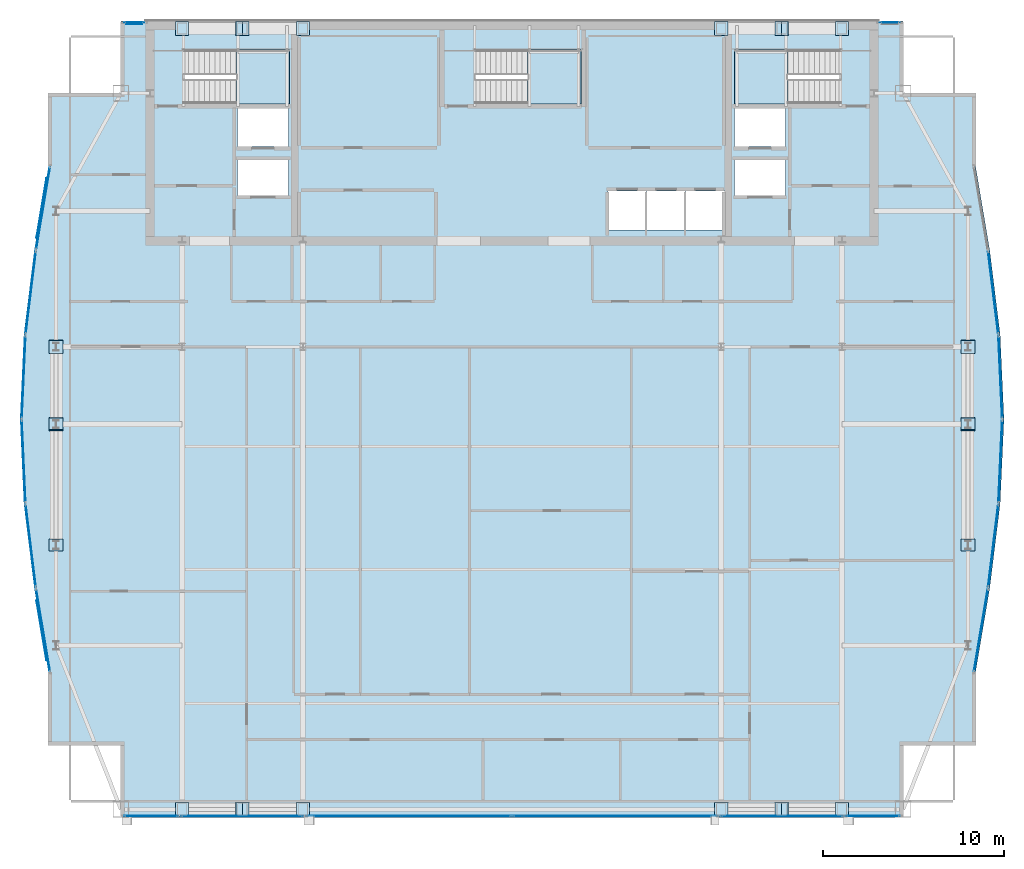
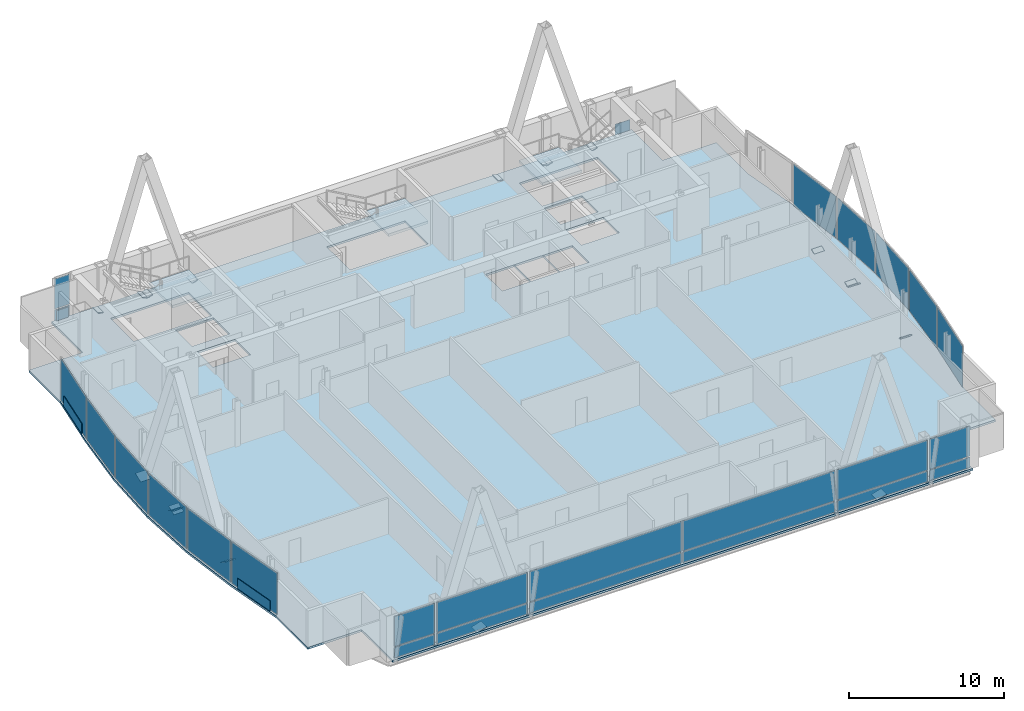
# One storey, part 23 of 29: 53 plates, 4 slabs, 21 elements without a shape of their own.
"""IFC4 building model written with IfcOpenShell, lengths in metres."""

from ifc_helpers import new_model, si_unit, direction, frame, origin, origin_2d, place, context, subcontext, project, spatial, polyline, rectangle, outline, extrude, material, layer, layer_set, type_object, element, aggregate, save


model = new_model("IFC4")

# Units and contexts
model_context = context("Model", 3, precision=1e-05, world=origin(), true_north=direction((0.0, 1.0)))
body_context = subcontext(model_context, "Body", "Model", "MODEL_VIEW")
ifc_project = project(units=[si_unit("LENGTHUNIT", "METRE"), si_unit("AREAUNIT", "SQUARE_METRE"), si_unit("VOLUMEUNIT", "CUBIC_METRE"), si_unit("PLANEANGLEUNIT", "RADIAN"), si_unit("MASSUNIT", "GRAM", prefix="KILO")], contexts=[model_context])

# Site, building, storey
site_placement = place(None, origin())
site = spatial("IfcSite", under=ifc_project, at=site_placement, CompositionType="ELEMENT")
building_placement = place(site_placement, origin())
building = spatial("IfcBuilding", under=site, at=building_placement, Name="Khoronbel Lancet Exchange", CompositionType="ELEMENT")
storey_placement = place(building_placement, frame((0.0, 0.0, 336.199951171875)))
storey = spatial("IfcBuildingStorey", under=building, at=storey_placement, Name="L87", CompositionType="ELEMENT", Elevation=336.199951171875)

# Curtain wall, plate
ifc_material_1 = material(Name="Low-E Solar Control Insulating Glass", Category="glass")
curtain_wall_type_1 = type_object("IfcCurtainWallType", Name="CW-4", PredefinedType="NOTDEFINED", material=ifc_material_1)
curtain_wall_1_placement = place(storey_placement, origin())
curtain_wall_1 = element("IfcCurtainWall", 1, at=curtain_wall_1_placement, inside=storey, type_object=curtain_wall_type_1, Name="Unitised curtain wall CW-L87-E04", PredefinedType="NOTDEFINED")
ifc_material_2 = material(Name="Bronze-Anodised Aluminium 6063-T6", Category="aluminium")
ifc_layer_1 = layer(ifc_material_2, 0.050048828125, Name="Bronze-Anodised Aluminium 6063-T6")
ifc_layer_set_1 = layer_set([ifc_layer_1], Name="Bronze-Anodised Aluminium 6063-T6")
plate_type_1 = type_object("IfcPlateType", Name="PLT-CSP1", PredefinedType="SHEET", material=ifc_layer_set_1)
plate_1_placement = place(storey_placement, frame((10.486572265625, 20.03369140625, 0.0498046875), z_axis=(0.0, 0.0, 1.0), x_axis=(-0.166390491902, 0.986059939458, 0.0)))
plate_1 = element("IfcPlate", 2, at=plate_1_placement, type_object=plate_type_1, Name="Insulated bronze spandrel cassette CW-L87-E04", PredefinedType="SHEET", context=body_context, shape_type="SweptSolid", body=[
    extrude(rectangle(XDim=3.31689453125, YDim=0.050048828125, at=origin_2d()), origin(), (0.0, 0.0, 1.0), 0.800048828125),
])

curtain_wall_2_placement = place(storey_placement, origin())
curtain_wall_2 = element("IfcCurtainWall", 3, at=curtain_wall_2_placement, inside=storey, type_object=curtain_wall_type_1, Name="Unitised curtain wall CW-L87-E05", PredefinedType="NOTDEFINED")
plate_2_placement = place(storey_placement, frame((9.86376953125, 24.710205078125, 0.0849609375), z_axis=(0.0, 0.0, 1.0), x_axis=(-0.122598550384, 0.992456344352, 0.0)))
plate_2 = element("IfcPlate", 4, at=plate_2_placement, type_object=plate_type_1, Name="CW4 panel 1.1", PredefinedType="CURTAIN_PANEL", context=body_context, shape_type="SweptSolid", body=[
    extrude(rectangle(XDim=4.546630859375, YDim=0.0380859375, at=origin_2d()), origin(), (0.0, 0.0, 1.0), 3.27001953125),
])
aggregate(curtain_wall_2, [plate_2])

curtain_wall_3_placement = place(storey_placement, origin())
curtain_wall_3 = element("IfcCurtainWall", 5, at=curtain_wall_3_placement, inside=storey, type_object=curtain_wall_type_1, Name="Unitised curtain wall CW-L87-E06", PredefinedType="NOTDEFINED")
plate_3_placement = place(storey_placement, frame((9.470458984375, 29.370361328125, 0.0849609375), z_axis=(0.0, 0.0, 1.0), x_axis=(-0.04517715298, 0.998978991195, 0.0)))
plate_3 = element("IfcPlate", 6, at=plate_3_placement, type_object=plate_type_1, Name="CW4 panel 1.1", PredefinedType="CURTAIN_PANEL", context=body_context, shape_type="SweptSolid", body=[
    extrude(rectangle(XDim=4.513916015625, YDim=0.0380859375, at=origin_2d()), origin(), (0.0, 0.0, 1.0), 3.27001953125),
])
aggregate(curtain_wall_3, [plate_3])

curtain_wall_4_placement = place(storey_placement, origin())
curtain_wall_4 = element("IfcCurtainWall", 7, at=curtain_wall_4_placement, inside=storey, type_object=curtain_wall_type_1, Name="Unitised curtain wall CW-L87-E07", PredefinedType="NOTDEFINED")
plate_4_placement = place(storey_placement, frame((9.470458984375, 34.029541015625, 0.0849609375), z_axis=(0.0, 0.0, 1.0), x_axis=(0.04517715298, 0.998978991195, 0.0)))
plate_4 = element("IfcPlate", 8, at=plate_4_placement, type_object=plate_type_1, Name="CW4 panel 1.1", PredefinedType="CURTAIN_PANEL", context=body_context, shape_type="SweptSolid", body=[
    extrude(rectangle(XDim=4.513916015625, YDim=0.0380859375, at=origin_2d()), origin(), (0.0, 0.0, 1.0), 3.27001953125),
])
aggregate(curtain_wall_4, [plate_4])

curtain_wall_5_placement = place(storey_placement, origin())
curtain_wall_5 = element("IfcCurtainWall", 9, at=curtain_wall_5_placement, inside=storey, type_object=curtain_wall_type_1, Name="Unitised curtain wall CW-L87-E08", PredefinedType="NOTDEFINED")
plate_5_placement = place(storey_placement, frame((9.86376953125, 38.689697265625, 0.0849609375), z_axis=(0.0, 0.0, 1.0), x_axis=(0.122598550384, 0.992456344352, 0.0)))
plate_5 = element("IfcPlate", 10, at=plate_5_placement, type_object=plate_type_1, Name="CW4 panel 1.1", PredefinedType="CURTAIN_PANEL", context=body_context, shape_type="SweptSolid", body=[
    extrude(rectangle(XDim=4.546630859375, YDim=0.0380859375, at=origin_2d()), origin(), (0.0, 0.0, 1.0), 3.27001953125),
])
aggregate(curtain_wall_5, [plate_5])

curtain_wall_6_placement = place(storey_placement, origin())
curtain_wall_6 = element("IfcCurtainWall", 11, at=curtain_wall_6_placement, inside=storey, type_object=curtain_wall_type_1, Name="Unitised curtain wall CW-L87-E09", PredefinedType="NOTDEFINED")
plate_6_placement = place(storey_placement, frame((10.486572265625, 43.366455078125, 0.0498046875), z_axis=(0.0, 0.0, 1.0), x_axis=(0.166390491902, 0.986059939458, 0.0)))
plate_6 = element("IfcPlate", 12, at=plate_6_placement, type_object=plate_type_1, Name="Insulated bronze spandrel cassette CW-L87-E09", PredefinedType="SHEET", context=body_context, shape_type="SweptSolid", body=[
    extrude(rectangle(XDim=3.31689453125, YDim=0.050048828125, at=origin_2d()), origin(), (0.0, 0.0, 1.0), 0.800048828125),
])

curtain_wall_type_2 = type_object("IfcCurtainWallType", Name="CW-3", PredefinedType="NOTDEFINED", material=ifc_material_1)
curtain_wall_7_placement = place(storey_placement, origin())
curtain_wall_7 = element("IfcCurtainWall", 13, at=curtain_wall_7_placement, inside=storey, type_object=curtain_wall_type_2, Name="Unitised curtain wall CW-L87-NWFLK", PredefinedType="NOTDEFINED")
plate_7_placement = place(storey_placement, frame((15.580078125, 53.550048828125, 0.0498046875), z_axis=(0.0, 0.0, 1.0), x_axis=(-1.0, 0.0, 0.0)))
plate_7 = element("IfcPlate", 14, at=plate_7_placement, type_object=plate_type_1, Name="Insulated bronze spandrel cassette CW-L87-NWFLK", PredefinedType="SHEET", context=body_context, shape_type="SweptSolid", body=[
    extrude(rectangle(XDim=0.89599609375, YDim=0.050048828125, at=origin_2d()), origin(), (0.0, 0.0, 1.0), 0.800048828125),
])

curtain_wall_8_placement = place(storey_placement, origin())
curtain_wall_8 = element("IfcCurtainWall", 15, at=curtain_wall_8_placement, inside=storey, type_object=curtain_wall_type_1, Name="Unitised curtain wall CW-L87-E18", PredefinedType="NOTDEFINED")
plate_8_placement = place(storey_placement, frame((63.036376953125, 38.689697265625, 0.0849609375), z_axis=(0.0, 0.0, 1.0), x_axis=(0.122598550384, -0.992456344352, 0.0)))
plate_8 = element("IfcPlate", 16, at=plate_8_placement, type_object=plate_type_1, Name="CW4 panel 1.1", PredefinedType="CURTAIN_PANEL", context=body_context, shape_type="SweptSolid", body=[
    extrude(rectangle(XDim=4.546630859375, YDim=0.0380859375, at=origin_2d()), origin(), (0.0, 0.0, 1.0), 3.27001953125),
])
aggregate(curtain_wall_8, [plate_8])

curtain_wall_9_placement = place(storey_placement, origin())
curtain_wall_9 = element("IfcCurtainWall", 17, at=curtain_wall_9_placement, inside=storey, type_object=curtain_wall_type_1, Name="Unitised curtain wall CW-L87-E19", PredefinedType="NOTDEFINED")
plate_9_placement = place(storey_placement, frame((63.429443359375, 34.029541015625, 0.0849609375), z_axis=(0.0, 0.0, 1.0), x_axis=(0.04517715298, -0.998978991195, 0.0)))
plate_9 = element("IfcPlate", 18, at=plate_9_placement, type_object=plate_type_1, Name="CW4 panel 1.1", PredefinedType="CURTAIN_PANEL", context=body_context, shape_type="SweptSolid", body=[
    extrude(rectangle(XDim=4.513916015625, YDim=0.0380859375, at=origin_2d()), origin(), (0.0, 0.0, 1.0), 3.27001953125),
])
aggregate(curtain_wall_9, [plate_9])

curtain_wall_10_placement = place(storey_placement, origin())
curtain_wall_10 = element("IfcCurtainWall", 19, at=curtain_wall_10_placement, inside=storey, type_object=curtain_wall_type_1, Name="Unitised curtain wall CW-L87-E20", PredefinedType="NOTDEFINED")
plate_10_placement = place(storey_placement, frame((63.429443359375, 29.370361328125, 0.0849609375), z_axis=(0.0, 0.0, 1.0), x_axis=(-0.04517715298, -0.998978991195, 0.0)))
plate_10 = element("IfcPlate", 20, at=plate_10_placement, type_object=plate_type_1, Name="CW4 panel 1.1", PredefinedType="CURTAIN_PANEL", context=body_context, shape_type="SweptSolid", body=[
    extrude(rectangle(XDim=4.513916015625, YDim=0.0380859375, at=origin_2d()), origin(), (0.0, 0.0, 1.0), 3.27001953125),
])
aggregate(curtain_wall_10, [plate_10])

curtain_wall_11_placement = place(storey_placement, origin())
curtain_wall_11 = element("IfcCurtainWall", 21, at=curtain_wall_11_placement, inside=storey, type_object=curtain_wall_type_1, Name="Unitised curtain wall CW-L87-E21", PredefinedType="NOTDEFINED")
plate_11_placement = place(storey_placement, frame((63.036376953125, 24.710205078125, 0.0849609375), z_axis=(0.0, 0.0, 1.0), x_axis=(-0.122598550384, -0.992456344352, 0.0)))
plate_11 = element("IfcPlate", 22, at=plate_11_placement, type_object=plate_type_1, Name="CW4 panel 1.1", PredefinedType="CURTAIN_PANEL", context=body_context, shape_type="SweptSolid", body=[
    extrude(rectangle(XDim=4.546630859375, YDim=0.0380859375, at=origin_2d()), origin(), (0.0, 0.0, 1.0), 3.27001953125),
])
aggregate(curtain_wall_11, [plate_11])

# Curtain wall, plates
curtain_wall_12_placement = place(storey_placement, origin())
curtain_wall_12 = element("IfcCurtainWall", 23, at=curtain_wall_12_placement, inside=storey, type_object=curtain_wall_type_2, Name="Unitised curtain wall CW-L87-SWB", PredefinedType="NOTDEFINED")
plate_12_placement = place(storey_placement, frame((21.550048828125, 9.7900390625, 0.0849609375), z_axis=(0.0, 0.0, 1.0), x_axis=(1.0, 0.0, 0.0)))
plate_12 = element("IfcPlate", 24, at=plate_12_placement, type_object=plate_type_1, Name="CW3 panel 1.1", PredefinedType="CURTAIN_PANEL", context=body_context, shape_type="SweptSolid", body=[
    extrude(rectangle(XDim=6.72998046875, YDim=0.0380859375, at=origin_2d()), origin(), (0.0, 0.0, 1.0), 0.822509765625),
])
plate_13_placement = place(storey_placement, frame((21.550048828125, 9.7900390625, 0.99267578125), z_axis=(0.0, 0.0, 1.0), x_axis=(1.0, 0.0, 0.0)))
plate_13 = element("IfcPlate", 25, at=plate_13_placement, type_object=plate_type_1, Name="CW3 panel 1.2", PredefinedType="CURTAIN_PANEL", context=body_context, shape_type="SweptSolid", body=[
    extrude(rectangle(XDim=6.72998046875, YDim=0.0380859375, at=origin_2d()), origin(), (0.0, 0.0, 1.0), 2.362548828125),
])
aggregate(curtain_wall_12, [plate_12, plate_13])

curtain_wall_13_placement = place(storey_placement, origin())
curtain_wall_13 = element("IfcCurtainWall", 26, at=curtain_wall_13_placement, inside=storey, type_object=curtain_wall_type_2, Name="Unitised curtain wall CW-L87-SEB", PredefinedType="NOTDEFINED")
plate_14_placement = place(storey_placement, frame((51.35009765625, 9.7900390625, 0.0849609375), z_axis=(0.0, 0.0, 1.0), x_axis=(1.0, 0.0, 0.0)))
plate_14 = element("IfcPlate", 27, at=plate_14_placement, type_object=plate_type_1, Name="CW3 panel 1.1", PredefinedType="CURTAIN_PANEL", context=body_context, shape_type="SweptSolid", body=[
    extrude(rectangle(XDim=6.72998046875, YDim=0.0380859375, at=origin_2d()), origin(), (0.0, 0.0, 1.0), 0.822509765625),
])
plate_15_placement = place(storey_placement, frame((51.35009765625, 9.7900390625, 0.99267578125), z_axis=(0.0, 0.0, 1.0), x_axis=(1.0, 0.0, 0.0)))
plate_15 = element("IfcPlate", 28, at=plate_15_placement, type_object=plate_type_1, Name="CW3 panel 1.2", PredefinedType="CURTAIN_PANEL", context=body_context, shape_type="SweptSolid", body=[
    extrude(rectangle(XDim=6.72998046875, YDim=0.0380859375, at=origin_2d()), origin(), (0.0, 0.0, 1.0), 2.362548828125),
])
aggregate(curtain_wall_13, [plate_14, plate_15])

# Plate
ifc_layer_2 = layer(ifc_material_1, 0.035888671875, Name="Low-E Solar Control Insulating Glass")
ifc_layer_set_2 = layer_set([ifc_layer_2], Name="Low-E Solar Control Insulating Glass")
plate_type_2 = type_object("IfcPlateType", Name="PLT-CWP1", PredefinedType="CURTAIN_PANEL", material=ifc_layer_set_2)
plate_16_placement = place(storey_placement, frame((15.580078125, 53.610107421875, 0.0849609375), z_axis=(0.0, 0.0, 1.0), x_axis=(-1.0, 0.0, 0.0)))
plate_16 = element("IfcPlate", 29, at=plate_16_placement, type_object=plate_type_2, Name="CW3 panel 1.1", PredefinedType="CURTAIN_PANEL", context=body_context, shape_type="SweptSolid", body=[
    extrude(rectangle(XDim=1.110107421875, YDim=0.0380859375, at=origin_2d()), origin(), (0.0, 0.0, 1.0), 0.822509765625),
])

plate_17_placement = place(storey_placement, frame((15.580078125, 53.610107421875, 0.99267578125), z_axis=(0.0, 0.0, 1.0), x_axis=(-1.0, 0.0, 0.0)))
plate_17 = element("IfcPlate", 30, at=plate_17_placement, type_object=plate_type_2, Name="CW3 panel 1.2", PredefinedType="CURTAIN_PANEL", context=body_context, shape_type="SweptSolid", body=[
    extrude(rectangle(XDim=1.110107421875, YDim=0.0380859375, at=origin_2d()), origin(), (0.0, 0.0, 1.0), 2.362548828125),
])

aggregate(curtain_wall_7, [plate_16, plate_17, plate_7])

# Curtain wall, plate
curtain_wall_14_placement = place(storey_placement, origin())
curtain_wall_14 = element("IfcCurtainWall", 31, at=curtain_wall_14_placement, inside=storey, type_object=curtain_wall_type_2, Name="Unitised curtain wall CW-L87-NEFLK", PredefinedType="NOTDEFINED")
plate_18_placement = place(storey_placement, frame((57.320068359375, 53.610107421875, 0.0849609375), z_axis=(0.0, 0.0, 1.0), x_axis=(-1.0, 0.0, 0.0)))
plate_18 = element("IfcPlate", 32, at=plate_18_placement, type_object=plate_type_2, Name="CW3 panel 1.1", PredefinedType="CURTAIN_PANEL", context=body_context, shape_type="SweptSolid", body=[
    extrude(rectangle(XDim=1.110107421875, YDim=0.0380859375, at=origin_2d()), origin(), (0.0, 0.0, 1.0), 0.822509765625),
])
aggregate(curtain_wall_14, [plate_18])

# Curtain wall, plates
curtain_wall_15_placement = place(storey_placement, origin())
curtain_wall_15 = element("IfcCurtainWall", 33, at=curtain_wall_15_placement, inside=storey, type_object=curtain_wall_type_2, Name="Unitised curtain wall CW-L87-SWV", PredefinedType="NOTDEFINED")
plate_19_placement = place(storey_placement, frame((16.52001953125, 9.7900390625, 0.0849609375), z_axis=(0.0, 0.0, 1.0), x_axis=(1.0, 0.0, 0.0)))
plate_19 = element("IfcPlate", 34, at=plate_19_placement, type_object=plate_type_2, Name="CW3 panel 1.1", PredefinedType="CURTAIN_PANEL", context=body_context, shape_type="SweptSolid", body=[
    extrude(rectangle(XDim=2.989990234375, YDim=0.0380859375, at=origin_2d()), origin(), (0.0, 0.0, 1.0), 0.822509765625),
])
plate_20_placement = place(storey_placement, frame((16.52001953125, 9.7900390625, 0.99267578125), z_axis=(0.0, 0.0, 1.0), x_axis=(1.0, 0.0, 0.0)))
plate_20 = element("IfcPlate", 35, at=plate_20_placement, type_object=plate_type_2, Name="CW3 panel 1.2", PredefinedType="CURTAIN_PANEL", context=body_context, shape_type="SweptSolid", body=[
    extrude(rectangle(XDim=2.989990234375, YDim=0.0380859375, at=origin_2d()), origin(), (0.0, 0.0, 1.0), 2.362548828125),
])
aggregate(curtain_wall_15, [plate_19, plate_20])

curtain_wall_16_placement = place(storey_placement, origin())
curtain_wall_16 = element("IfcCurtainWall", 36, at=curtain_wall_16_placement, inside=storey, type_object=curtain_wall_type_2, Name="Unitised curtain wall CW-L87-SCV", PredefinedType="NOTDEFINED")
plate_21_placement = place(storey_placement, frame((30.746337890625, 9.7900390625, 0.0849609375), z_axis=(0.0, 0.0, 1.0), x_axis=(1.0, 0.0, 0.0)))
plate_21 = element("IfcPlate", 37, at=plate_21_placement, type_object=plate_type_2, Name="CW3 panel 1.1", PredefinedType="CURTAIN_PANEL", context=body_context, shape_type="SweptSolid", body=[
    extrude(rectangle(XDim=11.322509765625, YDim=0.0380859375, at=origin_2d()), origin(), (0.0, 0.0, 1.0), 0.822509765625),
])
plate_22_placement = place(storey_placement, frame((30.746337890625, 9.7900390625, 0.99267578125), z_axis=(0.0, 0.0, 1.0), x_axis=(1.0, 0.0, 0.0)))
plate_22 = element("IfcPlate", 38, at=plate_22_placement, type_object=plate_type_2, Name="CW3 panel 1.2", PredefinedType="CURTAIN_PANEL", context=body_context, shape_type="SweptSolid", body=[
    extrude(rectangle(XDim=11.322509765625, YDim=0.0380859375, at=origin_2d()), origin(), (0.0, 0.0, 1.0), 2.362548828125),
])
plate_23_placement = place(storey_placement, frame((42.15380859375, 9.7900390625, 0.0849609375), z_axis=(0.0, 0.0, 1.0), x_axis=(1.0, 0.0, 0.0)))
plate_23 = element("IfcPlate", 39, at=plate_23_placement, type_object=plate_type_2, Name="CW3 panel 2.1", PredefinedType="CURTAIN_PANEL", context=body_context, shape_type="SweptSolid", body=[
    extrude(rectangle(XDim=11.322509765625, YDim=0.0380859375, at=origin_2d()), origin(), (0.0, 0.0, 1.0), 0.822509765625),
])
plate_24_placement = place(storey_placement, frame((42.15380859375, 9.7900390625, 0.99267578125), z_axis=(0.0, 0.0, 1.0), x_axis=(1.0, 0.0, 0.0)))
plate_24 = element("IfcPlate", 40, at=plate_24_placement, type_object=plate_type_2, Name="CW3 panel 2.2", PredefinedType="CURTAIN_PANEL", context=body_context, shape_type="SweptSolid", body=[
    extrude(rectangle(XDim=11.322509765625, YDim=0.0380859375, at=origin_2d()), origin(), (0.0, 0.0, 1.0), 2.362548828125),
])
aggregate(curtain_wall_16, [plate_21, plate_22, plate_23, plate_24])

curtain_wall_17_placement = place(storey_placement, origin())
curtain_wall_17 = element("IfcCurtainWall", 41, at=curtain_wall_17_placement, inside=storey, type_object=curtain_wall_type_2, Name="Unitised curtain wall CW-L87-SEV", PredefinedType="NOTDEFINED")
plate_25_placement = place(storey_placement, frame((56.3798828125, 9.7900390625, 0.0849609375), z_axis=(0.0, 0.0, 1.0), x_axis=(1.0, 0.0, 0.0)))
plate_25 = element("IfcPlate", 42, at=plate_25_placement, type_object=plate_type_2, Name="CW3 panel 1.1", PredefinedType="CURTAIN_PANEL", context=body_context, shape_type="SweptSolid", body=[
    extrude(rectangle(XDim=2.989990234375, YDim=0.0380859375, at=origin_2d()), origin(), (0.0, 0.0, 1.0), 0.822509765625),
])
plate_26_placement = place(storey_placement, frame((56.3798828125, 9.7900390625, 0.99267578125), z_axis=(0.0, 0.0, 1.0), x_axis=(1.0, 0.0, 0.0)))
plate_26 = element("IfcPlate", 43, at=plate_26_placement, type_object=plate_type_2, Name="CW3 panel 1.2", PredefinedType="CURTAIN_PANEL", context=body_context, shape_type="SweptSolid", body=[
    extrude(rectangle(XDim=2.989990234375, YDim=0.0380859375, at=origin_2d()), origin(), (0.0, 0.0, 1.0), 2.362548828125),
])
aggregate(curtain_wall_17, [plate_25, plate_26])

# Plate
ifc_material_3 = material(Name="Ceramic-Fritted Laminated Insulating Glass", Category="glass")
ifc_layer_3 = layer(ifc_material_3, 0.0419921875, Name="Ceramic-Fritted Laminated Insulating Glass")
ifc_layer_set_3 = layer_set([ifc_layer_3], Name="Ceramic-Fritted Laminated Insulating Glass")
plate_type_3 = type_object("IfcPlateType", Name="PLT-CWP2", PredefinedType="CURTAIN_PANEL", material=ifc_layer_set_3)
plate_27_placement = place(storey_placement, frame((10.5458984375, 20.043701171875, 0.0849609375), z_axis=(0.0, 0.0, 1.0), x_axis=(-0.166390491902, 0.986059939458, 0.0)))
plate_27 = element("IfcPlate", 44, at=plate_27_placement, type_object=plate_type_3, Name="CW4 panel 1.1", PredefinedType="CURTAIN_PANEL", context=body_context, shape_type="SweptSolid", body=[
    extrude(rectangle(XDim=4.588134765625, YDim=0.0380859375, at=origin_2d()), origin(), (0.0, 0.0, 1.0), 3.27001953125),
])

aggregate(curtain_wall_1, [plate_27, plate_1])

plate_28_placement = place(storey_placement, frame((10.5458984375, 43.3564453125, 0.0849609375), z_axis=(0.0, 0.0, 1.0), x_axis=(0.166390491902, 0.986059939458, 0.0)))
plate_28 = element("IfcPlate", 45, at=plate_28_placement, type_object=plate_type_3, Name="CW4 panel 1.1", PredefinedType="CURTAIN_PANEL", context=body_context, shape_type="SweptSolid", body=[
    extrude(rectangle(XDim=4.588134765625, YDim=0.0380859375, at=origin_2d()), origin(), (0.0, 0.0, 1.0), 3.27001953125),
])

aggregate(curtain_wall_6, [plate_28, plate_6])

# Curtain wall, plate
curtain_wall_18_placement = place(storey_placement, origin())
curtain_wall_18 = element("IfcCurtainWall", 46, at=curtain_wall_18_placement, inside=storey, type_object=curtain_wall_type_1, Name="Unitised curtain wall CW-L87-E22", PredefinedType="NOTDEFINED")
plate_29_placement = place(storey_placement, frame((62.354248046875, 20.043701171875, 0.0849609375), z_axis=(0.0, 0.0, 1.0), x_axis=(-0.166390491902, -0.986059939458, 0.0)))
plate_29 = element("IfcPlate", 47, at=plate_29_placement, type_object=plate_type_3, Name="CW4 panel 1.1", PredefinedType="CURTAIN_PANEL", context=body_context, shape_type="SweptSolid", body=[
    extrude(rectangle(XDim=4.588134765625, YDim=0.0380859375, at=origin_2d()), origin(), (0.0, 0.0, 1.0), 3.27001953125),
])
aggregate(curtain_wall_18, [plate_29])

# Plates
ifc_material_4 = material(Name="Steel S460", Category="steel")
ifc_layer_4 = layer(ifc_material_4, 0.044921875, Name="Steel S460")
ifc_layer_set_4 = layer_set([ifc_layer_4], Name="Steel S460")
plate_type_4 = type_object("IfcPlateType", Name="PLT-ECP1", PredefinedType="USERDEFINED", material=ifc_layer_set_4)
for number, where, z_axis, x_axis, name in (
    (48, (21.935302734375, 9.77001953125, -0.08056640625), (0.295236958021, 0.0, 0.955424062193), (0.0, 1.0, 0.0), "Hollow end cap plate PLT-CAP-MEM-MB-T29-S-W-L-1"),
    (49, (21.189697265625, 10.530029296875, -0.08056640625), (-0.295236958021, 0.0, 0.955424062193), (0.0, -1.0, 0.0), "Hollow end cap plate PLT-CAP-MEM-MB-T29-S-W-R-1"),
    (50, (51.710205078125, 9.77001953125, -0.08056640625), (0.295236958021, 0.0, 0.955424062193), (0.0, 1.0, 0.0), "Hollow end cap plate PLT-CAP-MEM-MB-T29-S-E-L-1"),
):
    element("IfcPlate", number, at=place(storey_placement, frame(where, z_axis=z_axis, x_axis=x_axis)), inside=storey, type_object=plate_type_4, Name=name, ObjectType="STIFFENER_PLATE", PredefinedType="USERDEFINED", context=body_context, shape_type="SweptSolid", body=[
        extrude(outline(polyline([(0.0, 0.0), (0.760009765625, 0.0), (0.760009765625, 0.760009765625), (0.0, 0.760009765625), (0.0, 0.0)])), origin(), (0.0, 0.0, -1.0), 0.044921875),
    ])
plate_30_placement = place(storey_placement, frame((50.964599609375, 10.530029296875, -0.08056640625), z_axis=(-0.295146364908, 0.0, 0.955452051796), x_axis=(0.0, -1.0, 0.0)))
element("IfcPlate", 51, at=plate_30_placement, inside=storey, type_object=plate_type_4, Name="Hollow end cap plate PLT-CAP-MEM-MB-T29-S-E-R-1", ObjectType="STIFFENER_PLATE", PredefinedType="USERDEFINED", context=body_context, shape_type="SweptSolid", body=[
    extrude(outline(polyline([(0.0, 0.0), (0.760009765625, 0.0), (0.760009765625, 0.76025390625), (0.0, 0.76025390625), (0.0, 0.0)])), origin(), (0.0, 0.0, -1.0), 0.044921875),
])
for number, where, z_axis, x_axis, name in (
    (52, (21.935302734375, 52.89990234375, -0.08056640625), (0.295236958021, 0.0, 0.955424062193), (0.0, 1.0, 0.0), "Hollow end cap plate PLT-CAP-MEM-MB-T29-N-W-L-1"),
    (53, (21.189697265625, 53.659912109375, -0.08056640625), (-0.295236958021, 0.0, 0.955424062193), (0.0, -1.0, 0.0), "Hollow end cap plate PLT-CAP-MEM-MB-T29-N-W-R-1"),
    (54, (51.710205078125, 52.89990234375, -0.08056640625), (0.295236958021, 0.0, 0.955424062193), (0.0, 1.0, 0.0), "Hollow end cap plate PLT-CAP-MEM-MB-T29-N-E-L-1"),
):
    element("IfcPlate", number, at=place(storey_placement, frame(where, z_axis=z_axis, x_axis=x_axis)), inside=storey, type_object=plate_type_4, Name=name, ObjectType="STIFFENER_PLATE", PredefinedType="USERDEFINED", context=body_context, shape_type="SweptSolid", body=[
        extrude(outline(polyline([(0.0, 0.0), (0.760009765625, 0.0), (0.760009765625, 0.760009765625), (0.0, 0.760009765625), (0.0, 0.0)])), origin(), (0.0, 0.0, -1.0), 0.044921875),
    ])
plate_31_placement = place(storey_placement, frame((50.964599609375, 53.659912109375, -0.08056640625), z_axis=(-0.295146364908, 0.0, 0.955452051796), x_axis=(0.0, -1.0, 0.0)))
element("IfcPlate", 55, at=plate_31_placement, inside=storey, type_object=plate_type_4, Name="Hollow end cap plate PLT-CAP-MEM-MB-T29-N-E-R-1", ObjectType="STIFFENER_PLATE", PredefinedType="USERDEFINED", context=body_context, shape_type="SweptSolid", body=[
    extrude(outline(polyline([(0.0, 0.0), (0.760009765625, 0.0), (0.760009765625, 0.76025390625), (0.0, 0.76025390625), (0.0, 0.0)])), origin(), (0.0, 0.0, -1.0), 0.044921875),
])
for number, where, z_axis, x_axis, name in (
    (56, (11.64990234375, 31.765625, -0.171630859375), (0.0, 0.525602314326, 0.850730396292), (-1.0, 0.0, 0.0), "Hollow end cap plate PLT-CAP-MEM-MB-T29-W-P-L-1"),
    (57, (10.889892578125, 31.0595703125, -0.109130859375), (0.0, -0.368175750156, 0.929756213745), (1.0, 0.0, 0.0), "Hollow end cap plate PLT-CAP-MEM-MB-T29-W-P-R-1"),
    (58, (62.010009765625, 31.765625, -0.171630859375), (0.0, 0.525602314326, 0.850730396292), (-1.0, 0.0, 0.0), "Hollow end cap plate PLT-CAP-MEM-MB-T29-E-P-L-1"),
    (59, (61.25, 31.0595703125, -0.109130859375), (0.0, -0.368175750156, 0.929756213745), (1.0, 0.0, 0.0), "Hollow end cap plate PLT-CAP-MEM-MB-T29-E-P-R-1"),
    (60, (18.591552734375, 9.77001953125, -0.1005859375), (0.295236958021, 0.0, 0.955424062193), (0.0, 1.0, 0.0), "Hollow end cap plate PLT-CAP-MEM-MB-T30-S-W-L-0"),
    (61, (24.533447265625, 10.530029296875, -0.1005859375), (-0.295236958021, 0.0, 0.955424062193), (0.0, -1.0, 0.0), "Hollow end cap plate PLT-CAP-MEM-MB-T30-S-W-R-0"),
):
    element("IfcPlate", number, at=place(storey_placement, frame(where, z_axis=z_axis, x_axis=x_axis)), inside=storey, type_object=plate_type_4, Name=name, ObjectType="STIFFENER_PLATE", PredefinedType="USERDEFINED", context=body_context, shape_type="SweptSolid", body=[
        extrude(outline(polyline([(0.0, 0.0), (0.760009765625, 0.0), (0.760009765625, 0.760009765625), (0.0, 0.760009765625), (0.0, 0.0)])), origin(), (0.0, 0.0, -1.0), 0.044921875),
    ])
plate_32_placement = place(storey_placement, frame((48.36669921875, 9.77001953125, -0.1005859375), z_axis=(0.295146364908, 0.0, 0.955452051796), x_axis=(0.0, 1.0, 0.0)))
element("IfcPlate", 62, at=plate_32_placement, inside=storey, type_object=plate_type_4, Name="Hollow end cap plate PLT-CAP-MEM-MB-T30-S-E-L-0", ObjectType="STIFFENER_PLATE", PredefinedType="USERDEFINED", context=body_context, shape_type="SweptSolid", body=[
    extrude(outline(polyline([(0.0, 0.0), (0.760009765625, 0.0), (0.760009765625, 0.76025390625), (0.0, 0.76025390625), (0.0, 0.0)])), origin(), (0.0, 0.0, -1.0), 0.044921875),
])
for number, where, z_axis, x_axis, name in (
    (63, (54.308349609375, 10.530029296875, -0.1005859375), (-0.295236958021, 0.0, 0.955424062193), (0.0, -1.0, 0.0), "Hollow end cap plate PLT-CAP-MEM-MB-T30-S-E-R-0"),
    (64, (18.591552734375, 52.89990234375, -0.1005859375), (0.295236958021, 0.0, 0.955424062193), (0.0, 1.0, 0.0), "Hollow end cap plate PLT-CAP-MEM-MB-T30-N-W-L-0"),
    (65, (24.533447265625, 53.659912109375, -0.1005859375), (-0.295236958021, 0.0, 0.955424062193), (0.0, -1.0, 0.0), "Hollow end cap plate PLT-CAP-MEM-MB-T30-N-W-R-0"),
):
    element("IfcPlate", number, at=place(storey_placement, frame(where, z_axis=z_axis, x_axis=x_axis)), inside=storey, type_object=plate_type_4, Name=name, ObjectType="STIFFENER_PLATE", PredefinedType="USERDEFINED", context=body_context, shape_type="SweptSolid", body=[
        extrude(outline(polyline([(0.0, 0.0), (0.760009765625, 0.0), (0.760009765625, 0.760009765625), (0.0, 0.760009765625), (0.0, 0.0)])), origin(), (0.0, 0.0, -1.0), 0.044921875),
    ])
plate_33_placement = place(storey_placement, frame((48.36669921875, 52.89990234375, -0.1005859375), z_axis=(0.295146364908, 0.0, 0.955452051796), x_axis=(0.0, 1.0, 0.0)))
element("IfcPlate", 66, at=plate_33_placement, inside=storey, type_object=plate_type_4, Name="Hollow end cap plate PLT-CAP-MEM-MB-T30-N-E-L-0", ObjectType="STIFFENER_PLATE", PredefinedType="USERDEFINED", context=body_context, shape_type="SweptSolid", body=[
    extrude(outline(polyline([(0.0, 0.0), (0.760009765625, 0.0), (0.760009765625, 0.76025390625), (0.0, 0.76025390625), (0.0, 0.0)])), origin(), (0.0, 0.0, -1.0), 0.044921875),
])
for number, where, z_axis, x_axis, name in (
    (67, (54.308349609375, 53.659912109375, -0.1005859375), (-0.295236958021, 0.0, 0.955424062193), (0.0, -1.0, 0.0), "Hollow end cap plate PLT-CAP-MEM-MB-T30-N-E-R-0"),
    (68, (11.64990234375, 25.07958984375, -0.189453125), (0.0, 0.525602314326, 0.850730396292), (-1.0, 0.0, 0.0), "Hollow end cap plate PLT-CAP-MEM-MB-T30-W-P-L-0"),
    (69, (10.889892578125, 35.34228515625, -0.128662109375), (0.0, -0.368175750156, 0.929756213745), (1.0, 0.0, 0.0), "Hollow end cap plate PLT-CAP-MEM-MB-T30-W-P-R-0"),
    (70, (62.010009765625, 25.07958984375, -0.189453125), (0.0, 0.525602314326, 0.850730396292), (-1.0, 0.0, 0.0), "Hollow end cap plate PLT-CAP-MEM-MB-T30-E-P-L-0"),
    (71, (61.25, 35.34228515625, -0.128662109375), (0.0, -0.368175750156, 0.929756213745), (1.0, 0.0, 0.0), "Hollow end cap plate PLT-CAP-MEM-MB-T30-E-P-R-0"),
):
    element("IfcPlate", number, at=place(storey_placement, frame(where, z_axis=z_axis, x_axis=x_axis)), inside=storey, type_object=plate_type_4, Name=name, ObjectType="STIFFENER_PLATE", PredefinedType="USERDEFINED", context=body_context, shape_type="SweptSolid", body=[
        extrude(outline(polyline([(0.0, 0.0), (0.760009765625, 0.0), (0.760009765625, 0.760009765625), (0.0, 0.760009765625), (0.0, 0.0)])), origin(), (0.0, 0.0, -1.0), 0.044921875),
    ])

# Slab
ifc_material_5 = material(Name="Concrete C40/50", Category="concrete")
ifc_layer_5 = layer(ifc_material_5, 0.159912109375, Name="Concrete C40/50")
ifc_layer_set_5 = layer_set([ifc_layer_5], Name="Concrete C40/50")
slab_type_1 = type_object("IfcSlabType", Name="SL-FL160", PredefinedType="FLOOR", material=ifc_layer_set_5)
slab_1_placement = place(storey_placement, frame((0.0, 0.0, -0.159912109375)))
element("IfcSlab", 72, at=slab_1_placement, inside=storey, type_object=slab_type_1, Name="Level L87 composite structural floor slab", PredefinedType="FLOOR", context=body_context, shape_type="SweptSolid", body=[
    extrude(outline(polyline([(14.85009765625, 9.699951171875), (58.050048828125, 9.699951171875), (58.050048828125, 13.699951171875), (62.050048828125, 13.699951171875), (62.050048828125, 17.699951171875), (62.83740234375, 22.36669921875), (63.4140625, 27.033203125), (63.625, 31.699951171875), (63.4140625, 36.36669921875), (62.83740234375, 41.033203125), (62.050048828125, 45.699951171875), (62.050048828125, 49.699951171875), (58.050048828125, 49.699951171875), (58.050048828125, 53.699951171875), (14.85009765625, 53.699951171875), (14.85009765625, 49.699951171875), (10.85009765625, 49.699951171875), (10.85009765625, 45.699951171875), (10.0625, 41.033203125), (9.486083984375, 36.36669921875), (9.27490234375, 31.699951171875), (9.486083984375, 27.033203125), (10.0625, 22.36669921875), (10.85009765625, 17.699951171875), (10.85009765625, 13.699951171875), (14.85009765625, 13.699951171875), (14.85009765625, 9.699951171875)]), holes=[polyline([(18.324951171875, 49.1201171875), (24.14990234375, 49.1201171875), (24.14990234375, 52.10009765625), (18.324951171875, 52.10009765625), (18.324951171875, 49.1201171875)]), polyline([(48.75, 49.1201171875), (54.574951171875, 49.1201171875), (54.574951171875, 52.10009765625), (48.75, 52.10009765625), (48.75, 49.1201171875)]), polyline([(34.425048828125, 49.1201171875), (40.25, 49.1201171875), (40.25, 52.10009765625), (34.425048828125, 52.10009765625), (34.425048828125, 49.1201171875)]), polyline([(41.739990234375, 42.14990234375), (43.8798828125, 42.14990234375), (43.8798828125, 44.300048828125), (41.739990234375, 44.300048828125), (41.739990234375, 42.14990234375)]), polyline([(43.89990234375, 42.14990234375), (46.0400390625, 42.14990234375), (46.0400390625, 44.300048828125), (43.89990234375, 44.300048828125), (43.89990234375, 42.14990234375)]), polyline([(46.06005859375, 42.14990234375), (48.199951171875, 42.14990234375), (48.199951171875, 44.300048828125), (46.06005859375, 44.300048828125), (46.06005859375, 42.14990234375)]), polyline([(21.300048828125, 46.75), (24.10009765625, 46.75), (24.10009765625, 48.85009765625), (21.300048828125, 48.85009765625), (21.300048828125, 46.75)]), polyline([(48.75, 46.75), (51.550048828125, 46.75), (51.550048828125, 48.85009765625), (48.75, 48.85009765625), (48.75, 46.75)]), polyline([(21.300048828125, 44.050048828125), (24.10009765625, 44.050048828125), (24.10009765625, 46.050048828125), (21.300048828125, 46.050048828125), (21.300048828125, 44.050048828125)]), polyline([(48.75, 44.050048828125), (51.550048828125, 44.050048828125), (51.550048828125, 46.050048828125), (48.75, 46.050048828125), (48.75, 44.050048828125)])]), origin(), (0.0, 0.0, 1.0), 0.159912109375),
])

# Stair, slab
stair_type = type_object("IfcStairType", Name="STR-CORE150", PredefinedType="HALF_TURN_STAIR", material=ifc_material_5)
stair_1_placement = place(storey_placement, origin())
stair_1 = element("IfcStair", 73, at=stair_1_placement, inside=storey, type_object=stair_type, Name="L87 Protected Exit Stair ST1", PredefinedType="HALF_TURN_STAIR")
ifc_layer_6 = layer(ifc_material_5, 0.199951171875, Name="Concrete C40/50")
ifc_layer_set_6 = layer_set([ifc_layer_6], Name="Concrete C40/50")
slab_type_2 = type_object("IfcSlabType", Name="SL-LND180", PredefinedType="LANDING", material=ifc_layer_set_6)
slab_2_placement = place(storey_placement, frame((0.0, 0.0, 1.60009765625)))
slab_2 = element("IfcSlab", 74, at=slab_2_placement, type_object=slab_type_2, Name="ST1 landing 1", PredefinedType="LANDING", context=body_context, shape_type="SweptSolid", body=[
    extrude(outline(polyline([(21.199951171875, 49.1201171875), (24.14990234375, 49.1201171875), (24.14990234375, 52.10009765625), (21.199951171875, 52.10009765625), (21.199951171875, 49.1201171875)])), origin(), (0.0, 0.0, 1.0), 0.199951171875),
])
aggregate(stair_1, [slab_2])

stair_2_placement = place(storey_placement, origin())
stair_2 = element("IfcStair", 75, at=stair_2_placement, inside=storey, type_object=stair_type, Name="L87 Protected Exit Stair ST2", PredefinedType="HALF_TURN_STAIR")
slab_3_placement = place(storey_placement, frame((0.0, 0.0, 1.60009765625)))
slab_3 = element("IfcSlab", 76, at=slab_3_placement, type_object=slab_type_2, Name="ST2 landing 1", PredefinedType="LANDING", context=body_context, shape_type="SweptSolid", body=[
    extrude(outline(polyline([(51.699951171875, 52.10009765625), (48.75, 52.10009765625), (48.75, 49.1201171875), (51.699951171875, 49.1201171875), (51.699951171875, 52.10009765625)])), origin(), (0.0, 0.0, 1.0), 0.199951171875),
])
aggregate(stair_2, [slab_3])

stair_3_placement = place(storey_placement, origin())
stair_3 = element("IfcStair", 77, at=stair_3_placement, inside=storey, type_object=stair_type, Name="L87 Protected Exit Stair ST3", PredefinedType="HALF_TURN_STAIR")
slab_4_placement = place(storey_placement, frame((0.0, 0.0, 1.60009765625)))
slab_4 = element("IfcSlab", 78, at=slab_4_placement, type_object=slab_type_2, Name="ST3 landing 1", PredefinedType="LANDING", context=body_context, shape_type="SweptSolid", body=[
    extrude(outline(polyline([(37.300048828125, 49.1201171875), (40.25, 49.1201171875), (40.25, 52.10009765625), (37.300048828125, 52.10009765625), (37.300048828125, 49.1201171875)])), origin(), (0.0, 0.0, 1.0), 0.199951171875),
])
aggregate(stair_3, [slab_4])

save(model, "model.ifc")
